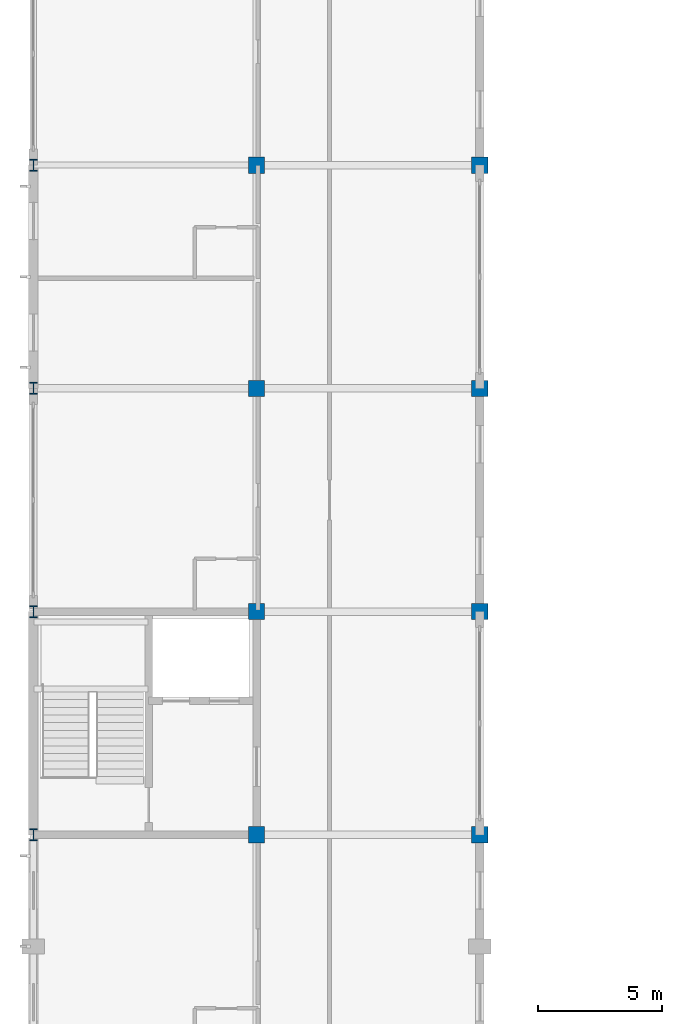
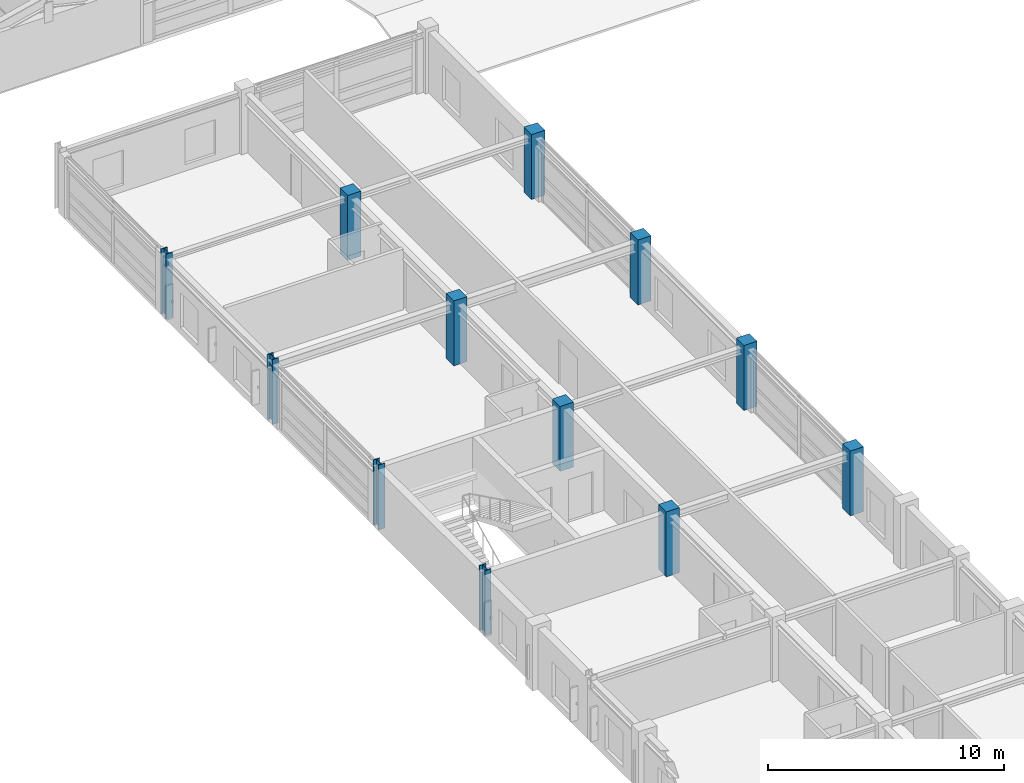
# One storey, part 3 of 91: 12 columns.
"""IFC4 building model written with IfcOpenShell, lengths in metres."""

import ifcopenshell
import ifcopenshell.guid

model = None  # the IFC model being written
_history = None  # IfcOwnerHistory: only IFC2X3 demands one
_inside = {}  # id of a spatial element -> (the spatial element, [elements in it])
_under = {}  # id of a project, library or spatial element -> (it, [spatial elements below it])
_declared = {}  # id of a project -> (the project, [libraries it declares])
_typed = {}  # id of a type object -> (the type object, [elements of that type])
_made_of = {}  # id of a material, layer set ... -> (it, [elements and type objects made of it])


def new_model(schema):
    """Start an empty IFC model of exactly this schema.

    Asked for "IFC4X3", IfcOpenShell would pick the latest addendum, in which some entities
    have other attributes; the version numbers below select the first issue.
    IFC2X3 requires an IfcOwnerHistory on every rooted entity: one is made here for all.
    """
    global model, _history
    if schema == "IFC4X3":
        model = ifcopenshell.file(schema_version=(4, 3, 0, 0))
    else:
        model = ifcopenshell.file(schema=schema)
    _inside.clear()
    _under.clear()
    _declared.clear()
    _typed.clear()
    _made_of.clear()
    _history = None
    if model.schema == "IFC2X3":
        org = make("IfcOrganization", Name="unknown")
        user = make(
            "IfcPersonAndOrganization",
            ThePerson=make("IfcPerson", FamilyName="unknown"),
            TheOrganization=org,
        )
        app = make(
            "IfcApplication",
            ApplicationDeveloper=org,
            Version="unknown",
            ApplicationFullName="unknown",
            ApplicationIdentifier="unknown",
        )
        _history = make(
            "IfcOwnerHistory",
            OwningUser=user,
            OwningApplication=app,
            ChangeAction="ADDED",
            CreationDate=0,
        )
    return model


def make(cls, **values):
    """One entity of the class cls with the attributes given. An attribute that is None is left unset."""
    return model.create_entity(
        cls, **{name: value for name, value in values.items() if value is not None}
    )


def rooted(cls, **values):
    """An entity with a GlobalId (a new one), such as an element, a storey or a relation."""
    return make(cls, GlobalId=ifcopenshell.guid.new(), OwnerHistory=_history, **values)


def si_unit(unit_type, name, prefix=None):
    """IfcSIUnit, for example si_unit("LENGTHUNIT", "METRE", prefix="MILLI")."""
    return make("IfcSIUnit", UnitType=unit_type, Prefix=prefix, Name=name)


def assignment(units):
    """IfcUnitAssignment: the units of a project."""
    return None if units is None else make("IfcUnitAssignment", Units=units)


def point(xyz):
    """IfcCartesianPoint."""
    return None if xyz is None else make("IfcCartesianPoint", Coordinates=xyz)


def direction(xyz):
    """IfcDirection."""
    return None if xyz is None else make("IfcDirection", DirectionRatios=xyz)


def frame(location, z_axis=None, x_axis=None):
    """IfcAxis2Placement3D, a coordinate frame: its origin and axes. An axis left out is left unset."""
    return make(
        "IfcAxis2Placement3D",
        Location=point(location),
        Axis=direction(z_axis),
        RefDirection=direction(x_axis),
    )


def frame_2d(location, x_axis=None):
    """IfcAxis2Placement2D, a coordinate frame in the plane: its origin and x axis."""
    return make(
        "IfcAxis2Placement2D", Location=point(location), RefDirection=direction(x_axis)
    )


def origin():
    """The frame at (0, 0, 0) with its axes left unset."""
    return frame((0.0, 0.0, 0.0))


def origin_2d():
    """The frame at (0, 0) in the plane with its x axis left unset."""
    return frame_2d((0.0, 0.0))


def place(relative_to, where):
    """IfcLocalPlacement: puts the frame where relative to a parent placement (None: the world)."""
    return make(
        "IfcLocalPlacement", PlacementRelTo=relative_to, RelativePlacement=where
    )


def context(
    kind, dimensions, precision=None, world=None, true_north=None, identifier=None
):
    """IfcGeometricRepresentationContext, for example the 3D "Model" context."""
    return make(
        "IfcGeometricRepresentationContext",
        ContextIdentifier=identifier,
        ContextType=kind,
        CoordinateSpaceDimension=dimensions,
        Precision=precision,
        WorldCoordinateSystem=world,
        TrueNorth=true_north,
    )


def subcontext(parent, identifier, kind, view, scale=None):
    """IfcGeometricRepresentationSubContext, for example "Body" below "Model"."""
    return make(
        "IfcGeometricRepresentationSubContext",
        ContextIdentifier=identifier,
        ContextType=kind,
        ParentContext=parent,
        TargetScale=scale,
        TargetView=view,
    )


def project(units=None, contexts=None):
    """IfcProject with its units and contexts."""
    return rooted(
        "IfcProject",
        Name="project",
        RepresentationContexts=contexts,
        UnitsInContext=assignment(units),
    )


def spatial(cls, under=None, at=None, **own):
    """A site, building, storey or space (cls), placed at a placement, below another one or the project."""
    s = rooted(cls, ObjectPlacement=at, **own)
    if under is not None:
        _under.setdefault(under.id(), (under, []))[1].append(s)
    return s


def profile(cls, at=None, kind="AREA", **sizes):
    """A parametric profile (cls). Its sizes go by their IFC names, for example OverallWidth=200.0."""
    return make(cls, ProfileType=kind, Position=at, **sizes)


def rectangle(**sizes):
    """IfcRectangleProfileDef."""
    return profile("IfcRectangleProfileDef", **sizes)


def i_section(**sizes):
    """IfcIShapeProfileDef."""
    return profile("IfcIShapeProfileDef", **sizes)


def extrude(swept, where, along, depth):
    """IfcExtrudedAreaSolid: the profile swept, set in the frame where, extruded along a direction by depth."""
    return make(
        "IfcExtrudedAreaSolid",
        SweptArea=swept,
        Position=where,
        ExtrudedDirection=direction(along),
        Depth=depth,
    )


def shape(context_of_items, identifier, shape_type, items):
    """IfcShapeRepresentation: the items that make up one representation, for example the "Body"."""
    return make(
        "IfcShapeRepresentation",
        ContextOfItems=context_of_items,
        RepresentationIdentifier=identifier,
        RepresentationType=shape_type,
        Items=items,
    )


def material(Name=None, Category=None):
    """IfcMaterial."""
    return make("IfcMaterial", Name=Name, Category=Category)


def material_profile(
    of_material, cross_section, Name=None, Category=None, Priority=None
):
    """IfcMaterialProfile: a cross section and its material."""
    return make(
        "IfcMaterialProfile",
        Name=Name,
        Material=of_material,
        Profile=cross_section,
        Priority=Priority,
        Category=Category,
    )


def profile_set(profiles, Name=None, composite=None):
    """IfcMaterialProfileSet."""
    return make(
        "IfcMaterialProfileSet",
        Name=Name,
        MaterialProfiles=profiles,
        CompositeProfile=composite,
    )


def made_of(thing, what):
    """Note that an element or type object is made of a material, layer set ...; save() writes the relation."""
    if what is not None:
        _made_of.setdefault(what.id(), (what, []))[1].append(thing)
    return thing


def type_object(cls, material=None, **own):
    """A type object (cls), such as IfcWallType, which elements share."""
    return made_of(rooted(cls, **own), material)


def element(
    cls,
    number,
    at=None,
    inside=None,
    cuts=None,
    type_object=None,
    material=None,
    context=None,
    identifier="Body",
    shape_type=None,
    held_by="IfcProductDefinitionShape",
    body=None,
    shapes=None,
    **own,
):
    """One element of the class cls, such as IfcWall. Its Tag is "e" and its number.

    at: its placement. inside: the storey or other place that contains it. cuts: it is an
    opening in that element (IfcRelVoidsElement). A single representation is given by context,
    identifier, shape_type and body (its items); several are given by shapes. held_by: the class
    of the entity that holds the representations. save() writes the other relations.
    """
    e = rooted(cls, Tag="e%d" % number, ObjectPlacement=at, **own)
    if body is not None:
        shapes = [shape(context, identifier, shape_type, body)]
    if shapes is not None:
        e.Representation = make(held_by, Representations=shapes)
    if inside is not None:
        _inside.setdefault(inside.id(), (inside, []))[1].append(e)
    if cuts is not None:
        rooted(
            "IfcRelVoidsElement", RelatingBuildingElement=cuts, RelatedOpeningElement=e
        )
    if type_object is not None:
        _typed.setdefault(type_object.id(), (type_object, []))[1].append(e)
    return made_of(e, material)


def aggregate(whole, parts):
    """IfcRelAggregates: a whole, such as a stair, and the parts it consists of."""
    return rooted("IfcRelAggregates", RelatingObject=whole, RelatedObjects=parts)


def save(model, path):
    """Write the relations noted so far, then the file.

    IfcRelAggregates (storeys below a building ...), IfcRelContainedInSpatialStructure (elements
    in a storey), IfcRelDefinesByType, IfcRelAssociatesMaterial and IfcRelDeclares: one each for
    every whole, place, type object, material and project.
    """
    for whole, parts in _under.values():
        aggregate(whole, parts)
    for where, things in _inside.values():
        rooted(
            "IfcRelContainedInSpatialStructure",
            RelatedElements=things,
            RelatingStructure=where,
        )
    for kind, things in _typed.values():
        rooted("IfcRelDefinesByType", RelatedObjects=things, RelatingType=kind)
    for what, things in _made_of.values():
        rooted("IfcRelAssociatesMaterial", RelatedObjects=things, RelatingMaterial=what)
    for by, libraries in _declared.values():
        rooted("IfcRelDeclares", RelatingContext=by, RelatedDefinitions=libraries)
    model.write(path)


model = new_model("IFC4")

# Units and contexts
model_context = context("Model", 3, precision=1e-05, world=origin(), true_north=direction((0.0, 1.0)))
body_context = subcontext(model_context, "Body", "Model", "MODEL_VIEW")
ifc_project = project(units=[si_unit("LENGTHUNIT", "METRE"), si_unit("AREAUNIT", "SQUARE_METRE"), si_unit("VOLUMEUNIT", "CUBIC_METRE"), si_unit("PLANEANGLEUNIT", "RADIAN"), si_unit("MASSUNIT", "GRAM", prefix="KILO")], contexts=[model_context])

# Site, building, storey
site_placement = place(None, origin())
site = spatial("IfcSite", under=ifc_project, at=site_placement, CompositionType="ELEMENT")
building_placement = place(site_placement, origin())
building = spatial("IfcBuilding", under=site, at=building_placement, Name="Palais des Congres Ocreval", CompositionType="ELEMENT")
storey_placement = place(building_placement, frame((0.0, 0.0, 8.159912109375)))
storey = spatial("IfcBuildingStorey", under=building, at=storey_placement, Name="L02", CompositionType="ELEMENT", Elevation=8.159912109375)

# Columns
ifc_material_1 = material(Name="Steel S355", Category="steel")
ifc_material_profile_1 = material_profile(ifc_material_1, i_section(OverallWidth=0.306884765625, OverallDepth=0.47802734375, WebThickness=0.02099609375, FlangeThickness=0.0400390625, at=origin_2d()), Name="HEM 450")
ifc_profile_set_1 = profile_set([ifc_material_profile_1], Name="Steel S355")
column_type_1 = type_object("IfcColumnType", Name="Column HEM 450 Steel S355", PredefinedType="COLUMN", material=ifc_profile_set_1)
for number, where, z_axis, x_axis, name in (
    (1, (0.0, 36.0, 0.0), (0.0, 0.0, 1.0), (1.0, 0.0, 0.0), "Column C06 L02"),
    (2, (0.0, 45.0, 0.0), (0.0, 0.0, 1.0), (1.0, 0.0, 0.0), "Column C06 L02"),
    (3, (0.0, 54.0, 0.0), (0.0, 0.0, 1.0), (1.0, 0.0, 0.0), "Column C06 L02"),
    (4, (0.0, 63.0, 0.0), (0.0, 0.0, 1.0), (1.0, 0.0, 0.0), "Column C06 L02"),
):
    element("IfcColumn", number, at=place(storey_placement, frame(where, z_axis=z_axis, x_axis=x_axis)), inside=storey, type_object=column_type_1, Name=name, PredefinedType="COLUMN", context=body_context, shape_type="SweptSolid", body=[
        extrude(i_section(OverallWidth=0.306884765625, OverallDepth=0.47802734375, WebThickness=0.02099609375, FlangeThickness=0.0400390625, at=origin_2d()), origin(), (0.0, 0.0, 1.0), 3.360107421875),
    ])
ifc_material_2 = material(Name="Concrete C40/50", Category="concrete")
ifc_material_profile_2 = material_profile(ifc_material_2, rectangle(XDim=0.64990234375, YDim=0.64990234375, at=origin_2d()), Name="RC 650x650")
ifc_profile_set_2 = profile_set([ifc_material_profile_2], Name="Concrete C40/50")
column_type_2 = type_object("IfcColumnType", Name="Column RC 650x650 Concrete C40/50", PredefinedType="COLUMN", material=ifc_profile_set_2)
for number, where, z_axis, x_axis, name in (
    (5, (9.0, 36.0, 0.0), (0.0, 0.0, 1.0), (1.0, 0.0, 0.0), "Column C23 L02"),
    (6, (9.0, 45.0, 0.0), (0.0, 0.0, 1.0), (1.0, 0.0, 0.0), "Column C23 L02"),
    (7, (9.0, 54.0, 0.0), (0.0, 0.0, 1.0), (1.0, 0.0, 0.0), "Column C23 L02"),
    (8, (9.0, 63.0, 0.0), (0.0, 0.0, 1.0), (1.0, 0.0, 0.0), "Column C23 L02"),
    (9, (18.0, 36.0, 0.0), (0.0, 0.0, 1.0), (1.0, 0.0, 0.0), "Column C23 L02"),
    (10, (18.0, 45.0, 0.0), (0.0, 0.0, 1.0), (1.0, 0.0, 0.0), "Column C23 L02"),
    (11, (18.0, 54.0, 0.0), (0.0, 0.0, 1.0), (1.0, 0.0, 0.0), "Column C23 L02"),
    (12, (18.0, 63.0, 0.0), (0.0, 0.0, 1.0), (1.0, 0.0, 0.0), "Column C23 L02"),
):
    element("IfcColumn", number, at=place(storey_placement, frame(where, z_axis=z_axis, x_axis=x_axis)), inside=storey, type_object=column_type_2, Name=name, PredefinedType="COLUMN", context=body_context, shape_type="SweptSolid", body=[
        extrude(rectangle(XDim=0.64990234375, YDim=0.64990234375, at=origin_2d()), origin(), (0.0, 0.0, 1.0), 3.360107421875),
    ])

save(model, "model.ifc")
